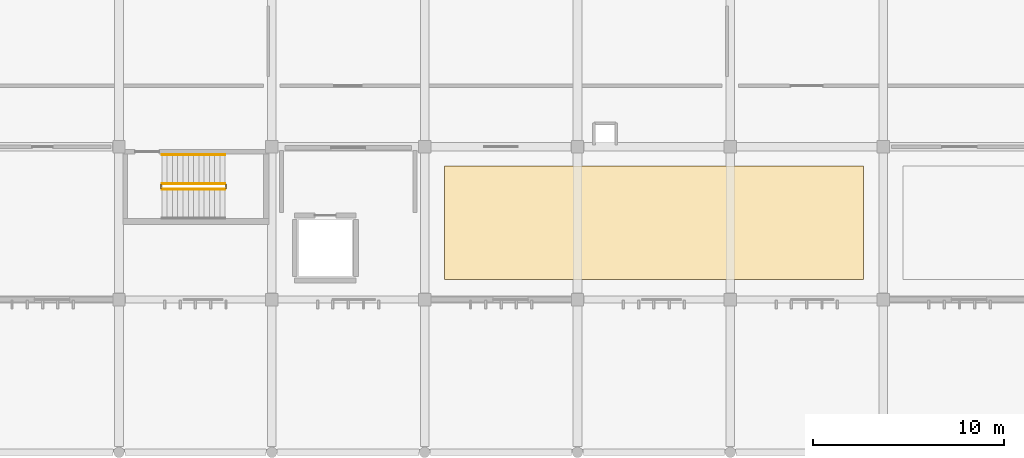
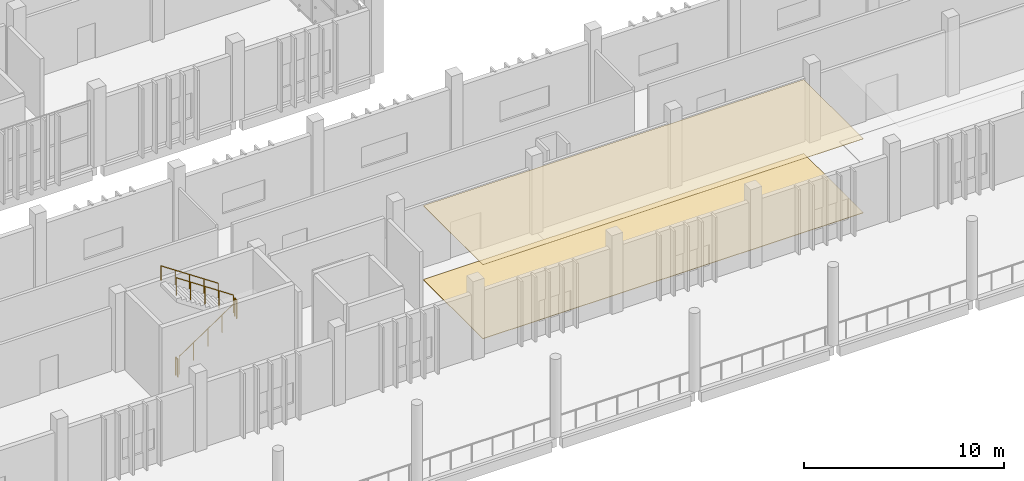
# One storey, part 100 of 106: 5 railings, 2 coverings.
"""IFC4 building model written with IfcOpenShell, lengths in metres."""

from ifc_helpers import new_model, si_unit, direction, frame, origin, origin_2d, place, context, subcontext, project, spatial, polyline, circle, outline, extrude, material, layer, layer_set, type_object, element, save


model = new_model("IFC4")

# Units and contexts
model_context = context("Model", 3, precision=1e-05, world=origin(), true_north=direction((0.0, 1.0)))
body_context = subcontext(model_context, "Body", "Model", "MODEL_VIEW")
ifc_project = project(units=[si_unit("LENGTHUNIT", "METRE"), si_unit("AREAUNIT", "SQUARE_METRE"), si_unit("VOLUMEUNIT", "CUBIC_METRE"), si_unit("PLANEANGLEUNIT", "RADIAN"), si_unit("MASSUNIT", "GRAM", prefix="KILO")], contexts=[model_context])

# Site, building, storey
site_placement = place(None, origin())
site = spatial("IfcSite", under=ifc_project, at=site_placement, CompositionType="ELEMENT")
building_placement = place(site_placement, origin())
building = spatial("IfcBuilding", under=site, at=building_placement, Name="Jelvoka-Kovrelna Polytechnic", CompositionType="ELEMENT")
storey_placement = place(building_placement, frame((0.0, 0.0, 4.800048828125)))
storey = spatial("IfcBuildingStorey", under=building, at=storey_placement, Name="L02", CompositionType="ELEMENT", Elevation=4.800048828125)

# Coverings
ifc_material_1 = material(Name="Mineral fibre acoustic ceiling tile")
ifc_layer_1 = layer(ifc_material_1, 0.02490234375)
ifc_layer_set_1 = layer_set([ifc_layer_1], Name="Mineral fibre acoustic ceiling tile")
covering_type_1 = type_object("IfcCoveringType", Name="Covering_Acoustic_Ceiling_25", PredefinedType="CEILING", material=ifc_layer_set_1)
covering_1_placement = place(storey_placement, frame((0.0, 0.0, 4.510009765625)))
element("IfcCovering", 1, at=covering_1_placement, inside=storey, type_object=covering_type_1, Name="L02 acoustic ceiling 017", PredefinedType="CEILING", context=body_context, shape_type="SweptSolid", body=[
    extrude(outline(polyline([(105.030029296875, 9.050048828125), (126.969970703125, 9.050048828125), (126.969970703125, 15.0), (105.030029296875, 15.0), (105.030029296875, 9.050048828125)])), origin(), (0.0, 0.0, 1.0), 0.02490234375),
])
ifc_material_2 = material(Name="Polished epoxy terrazzo flooring")
ifc_layer_2 = layer(ifc_material_2, 0.030029296875)
ifc_layer_set_2 = layer_set([ifc_layer_2], Name="Polished epoxy terrazzo flooring")
covering_type_2 = type_object("IfcCoveringType", Name="Covering_Terrazzo_Floor_30", PredefinedType="FLOORING", material=ifc_layer_set_2)
covering_2_placement = place(storey_placement, origin())
element("IfcCovering", 2, at=covering_2_placement, inside=storey, type_object=covering_type_2, Name="L02 terrazzo floor finish 017", PredefinedType="FLOORING", context=body_context, shape_type="SweptSolid", body=[
    extrude(outline(polyline([(105.030029296875, 9.050048828125), (126.969970703125, 9.050048828125), (126.969970703125, 15.0), (105.030029296875, 15.0), (105.030029296875, 9.050048828125)])), origin(), (0.0, 0.0, 1.0), 0.030029296875),
])

# Railings
ifc_material_3 = material(Name="Powder-coated steel stair guard", Category="steel")
railing_type_1 = type_object("IfcRailingType", Name="Railing_Stair_Guard_1100", PredefinedType="GUARDRAIL", material=ifc_material_3)
railing_1_placement = place(storey_placement, frame((90.25, 13.77001953125, 0.1845703125)))
element("IfcRailing", 3, at=railing_1_placement, inside=storey, type_object=railing_type_1, Name="L02 ST06 stair guard 1", PredefinedType="GUARDRAIL", context=body_context, shape_type="SweptSolid", body=[
    extrude(circle(Radius=0.02392578125, at=origin_2d()), frame((0.0, 0.0, 1.076171875), z_axis=(0.830269453126, 0.0, 0.557362211857), x_axis=(0.0, 1.0, 0.0)), (0.0, 0.0, 1.0), 3.974609375),
    extrude(circle(Radius=0.02099609375, at=origin_2d()), origin(), (0.0, 0.0, 1.0), 1.052001953125),
    extrude(circle(Radius=0.02099609375, at=origin_2d()), frame((0.824951171875, 0.0, 0.5537109375)), (0.0, 0.0, 1.0), 1.052001953125),
    extrude(circle(Radius=0.02099609375, at=origin_2d()), frame((1.64990234375, 0.0, 1.107666015625)), (0.0, 0.0, 1.0), 1.052001953125),
    extrude(circle(Radius=0.02099609375, at=origin_2d()), frame((2.47509765625, 0.0, 1.66162109375)), (0.0, 0.0, 1.0), 1.052001953125),
    extrude(circle(Radius=0.02099609375, at=origin_2d()), frame((3.300048828125, 0.0, 2.21533203125)), (0.0, 0.0, 1.0), 1.052001953125),
])
railing_2_placement = place(storey_placement, frame((93.60009765625, 13.820068359375, 2.39990234375)))
element("IfcRailing", 4, at=railing_2_placement, inside=storey, type_object=railing_type_1, Name="L02 ST06 stair guard 2", PredefinedType="GUARDRAIL", context=body_context, shape_type="SweptSolid", body=[
    extrude(circle(Radius=0.02392578125, at=origin_2d()), frame((0.0, 0.0, 1.076171875), z_axis=(0.0, 1.0, 0.0), x_axis=(-1.0, 0.0, 0.0)), (0.0, 0.0, 1.0), 0.199951171875),
    extrude(circle(Radius=0.02099609375, at=origin_2d()), origin(), (0.0, 0.0, 1.0), 1.052001953125),
    extrude(circle(Radius=0.02099609375, at=origin_2d()), frame((0.0, 0.199951171875, 0.0)), (0.0, 0.0, 1.0), 1.052001953125),
])
railing_3_placement = place(storey_placement, frame((93.550048828125, 14.070068359375, 2.58447265625)))
element("IfcRailing", 5, at=railing_3_placement, inside=storey, type_object=railing_type_1, Name="L02 ST06 stair guard 3", PredefinedType="GUARDRAIL", context=body_context, shape_type="SweptSolid", body=[
    extrude(circle(Radius=0.02392578125, at=origin_2d()), frame((0.0, 0.0, 1.076171875), z_axis=(-0.830241028356, 0.0, 0.557404552218), x_axis=(0.0, -1.0, 0.0)), (0.0, 0.0, 1.0), 3.974853515625),
    extrude(circle(Radius=0.02099609375, at=origin_2d()), origin(), (0.0, 0.0, 1.0), 1.052001953125),
    extrude(circle(Radius=0.02099609375, at=origin_2d()), frame((-0.824951171875, 0.0, 0.553955078125)), (0.0, 0.0, 1.0), 1.052001953125),
    extrude(circle(Radius=0.02099609375, at=origin_2d()), frame((-1.64990234375, 0.0, 1.10791015625)), (0.0, 0.0, 1.0), 1.052001953125),
    extrude(circle(Radius=0.02099609375, at=origin_2d()), frame((-2.47509765625, 0.0, 1.66162109375)), (0.0, 0.0, 1.0), 1.052001953125),
    extrude(circle(Radius=0.02099609375, at=origin_2d()), frame((-3.300048828125, 0.0, 2.215576171875)), (0.0, 0.0, 1.0), 1.052001953125),
])
railing_4_placement = place(storey_placement, frame((90.199951171875, 13.820068359375, 0.0)))
element("IfcRailing", 6, at=railing_4_placement, inside=storey, type_object=railing_type_1, Name="L02 ST06 stair guard 4", PredefinedType="GUARDRAIL", context=body_context, shape_type="SweptSolid", body=[
    extrude(circle(Radius=0.02392578125, at=origin_2d()), frame((0.0, 0.0, 1.076171875), z_axis=(0.0, 1.0, 0.0), x_axis=(-1.0, 0.0, 0.0)), (0.0, 0.0, 1.0), 0.199951171875),
    extrude(circle(Radius=0.02099609375, at=origin_2d()), origin(), (0.0, 0.0, 1.0), 1.052001953125),
    extrude(circle(Radius=0.02099609375, at=origin_2d()), frame((0.0, 0.199951171875, 0.0)), (0.0, 0.0, 1.0), 1.052001953125),
])
ifc_material_4 = material(Name="Brushed stainless steel handrail", Category="steel")
railing_type_2 = type_object("IfcRailingType", Name="Railing_Stair_Handrail_900", PredefinedType="HANDRAIL", material=ifc_material_4)
railing_5_placement = place(storey_placement, frame((93.550048828125, 15.590087890625, 2.58447265625)))
element("IfcRailing", 7, at=railing_5_placement, inside=storey, type_object=railing_type_2, Name="L02 ST06 stair handrail 2", PredefinedType="HANDRAIL", context=body_context, shape_type="SweptSolid", body=[
    extrude(circle(Radius=0.02392578125, at=origin_2d()), frame((0.0, 0.0, 0.8759765625), z_axis=(-0.830241028356, 0.0, 0.557404552218), x_axis=(0.0, -1.0, 0.0)), (0.0, 0.0, 1.0), 3.974853515625),
    extrude(circle(Radius=0.02099609375, at=origin_2d()), origin(), (0.0, 0.0, 1.0), 0.851806640625),
    extrude(circle(Radius=0.02099609375, at=origin_2d()), frame((-0.824951171875, 0.0, 0.553955078125)), (0.0, 0.0, 1.0), 0.851806640625),
    extrude(circle(Radius=0.02099609375, at=origin_2d()), frame((-1.64990234375, 0.0, 1.10791015625)), (0.0, 0.0, 1.0), 0.851806640625),
    extrude(circle(Radius=0.02099609375, at=origin_2d()), frame((-2.47509765625, 0.0, 1.66162109375)), (0.0, 0.0, 1.0), 0.851806640625),
    extrude(circle(Radius=0.02099609375, at=origin_2d()), frame((-3.300048828125, 0.0, 2.215576171875)), (0.0, 0.0, 1.0), 0.851806640625),
])

save(model, "model.ifc")
